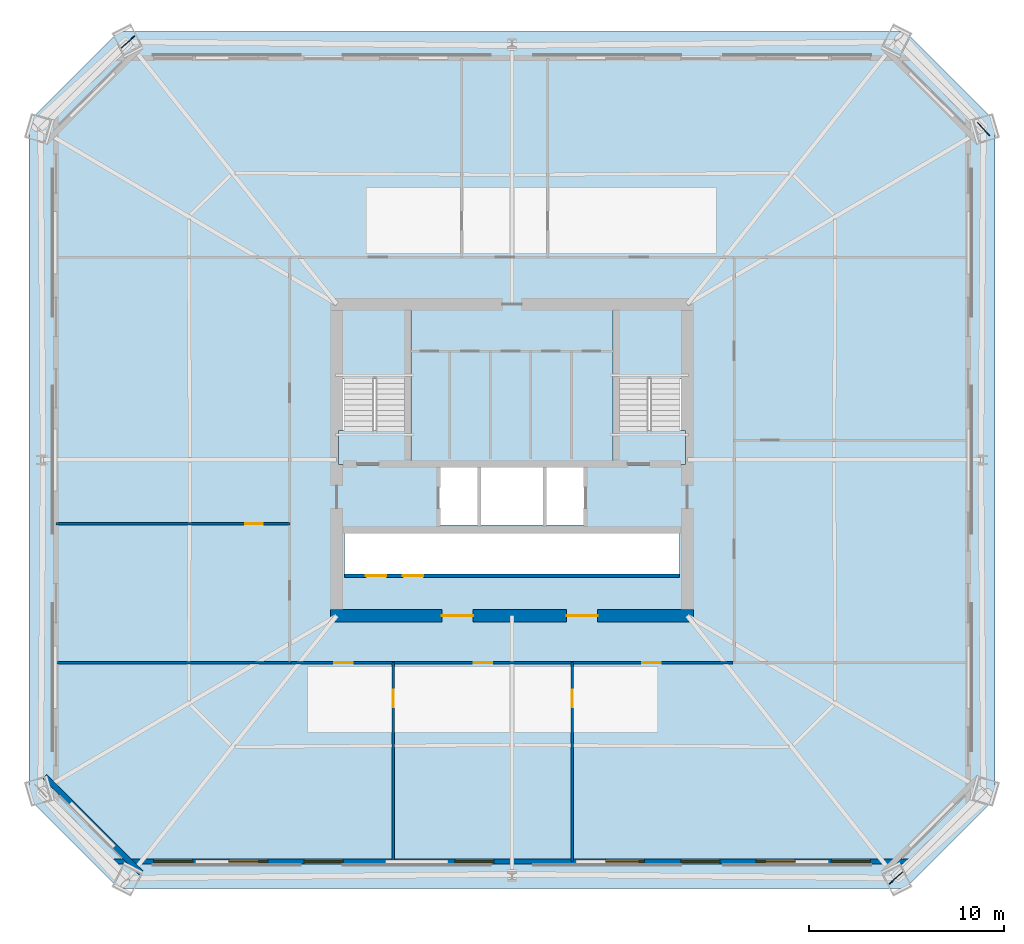
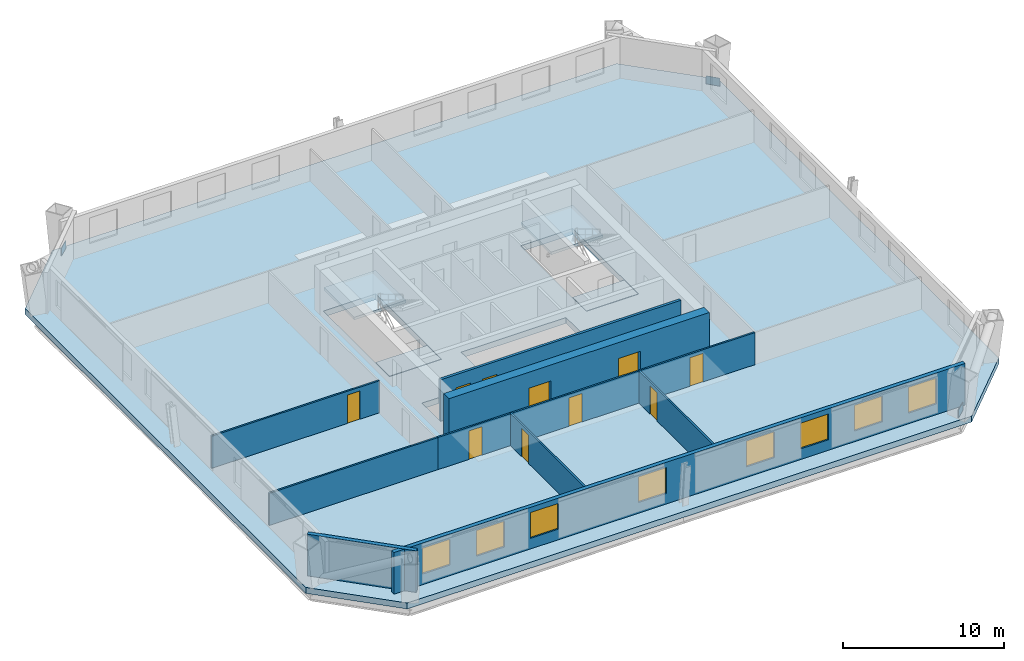
# One storey, part 2 of 7: 10 doors, 9 walls, 8 windows, 5 slabs, 3 plates, 18 openings, 2 elements without a shape of their own.
"""IFC4 building model written with IfcOpenShell, lengths in metres."""

import ifcopenshell
import ifcopenshell.guid

model = None  # the IFC model being written
_history = None  # IfcOwnerHistory: only IFC2X3 demands one
_inside = {}  # id of a spatial element -> (the spatial element, [elements in it])
_under = {}  # id of a project, library or spatial element -> (it, [spatial elements below it])
_declared = {}  # id of a project -> (the project, [libraries it declares])
_typed = {}  # id of a type object -> (the type object, [elements of that type])
_made_of = {}  # id of a material, layer set ... -> (it, [elements and type objects made of it])


def new_model(schema):
    """Start an empty IFC model of exactly this schema.

    Asked for "IFC4X3", IfcOpenShell would pick the latest addendum, in which some entities
    have other attributes; the version numbers below select the first issue.
    IFC2X3 requires an IfcOwnerHistory on every rooted entity: one is made here for all.
    """
    global model, _history
    if schema == "IFC4X3":
        model = ifcopenshell.file(schema_version=(4, 3, 0, 0))
    else:
        model = ifcopenshell.file(schema=schema)
    _inside.clear()
    _under.clear()
    _declared.clear()
    _typed.clear()
    _made_of.clear()
    _history = None
    if model.schema == "IFC2X3":
        org = make("IfcOrganization", Name="unknown")
        user = make(
            "IfcPersonAndOrganization",
            ThePerson=make("IfcPerson", FamilyName="unknown"),
            TheOrganization=org,
        )
        app = make(
            "IfcApplication",
            ApplicationDeveloper=org,
            Version="unknown",
            ApplicationFullName="unknown",
            ApplicationIdentifier="unknown",
        )
        _history = make(
            "IfcOwnerHistory",
            OwningUser=user,
            OwningApplication=app,
            ChangeAction="ADDED",
            CreationDate=0,
        )
    return model


def make(cls, **values):
    """One entity of the class cls with the attributes given. An attribute that is None is left unset."""
    return model.create_entity(
        cls, **{name: value for name, value in values.items() if value is not None}
    )


def rooted(cls, **values):
    """An entity with a GlobalId (a new one), such as an element, a storey or a relation."""
    return make(cls, GlobalId=ifcopenshell.guid.new(), OwnerHistory=_history, **values)


def si_unit(unit_type, name, prefix=None):
    """IfcSIUnit, for example si_unit("LENGTHUNIT", "METRE", prefix="MILLI")."""
    return make("IfcSIUnit", UnitType=unit_type, Prefix=prefix, Name=name)


def assignment(units):
    """IfcUnitAssignment: the units of a project."""
    return None if units is None else make("IfcUnitAssignment", Units=units)


def point(xyz):
    """IfcCartesianPoint."""
    return None if xyz is None else make("IfcCartesianPoint", Coordinates=xyz)


def direction(xyz):
    """IfcDirection."""
    return None if xyz is None else make("IfcDirection", DirectionRatios=xyz)


def frame(location, z_axis=None, x_axis=None):
    """IfcAxis2Placement3D, a coordinate frame: its origin and axes. An axis left out is left unset."""
    return make(
        "IfcAxis2Placement3D",
        Location=point(location),
        Axis=direction(z_axis),
        RefDirection=direction(x_axis),
    )


def frame_2d(location, x_axis=None):
    """IfcAxis2Placement2D, a coordinate frame in the plane: its origin and x axis."""
    return make(
        "IfcAxis2Placement2D", Location=point(location), RefDirection=direction(x_axis)
    )


def origin():
    """The frame at (0, 0, 0) with its axes left unset."""
    return frame((0.0, 0.0, 0.0))


def origin_2d():
    """The frame at (0, 0) in the plane with its x axis left unset."""
    return frame_2d((0.0, 0.0))


def place(relative_to, where):
    """IfcLocalPlacement: puts the frame where relative to a parent placement (None: the world)."""
    return make(
        "IfcLocalPlacement", PlacementRelTo=relative_to, RelativePlacement=where
    )


def context(
    kind, dimensions, precision=None, world=None, true_north=None, identifier=None
):
    """IfcGeometricRepresentationContext, for example the 3D "Model" context."""
    return make(
        "IfcGeometricRepresentationContext",
        ContextIdentifier=identifier,
        ContextType=kind,
        CoordinateSpaceDimension=dimensions,
        Precision=precision,
        WorldCoordinateSystem=world,
        TrueNorth=true_north,
    )


def subcontext(parent, identifier, kind, view, scale=None):
    """IfcGeometricRepresentationSubContext, for example "Body" below "Model"."""
    return make(
        "IfcGeometricRepresentationSubContext",
        ContextIdentifier=identifier,
        ContextType=kind,
        ParentContext=parent,
        TargetScale=scale,
        TargetView=view,
    )


def project(units=None, contexts=None):
    """IfcProject with its units and contexts."""
    return rooted(
        "IfcProject",
        Name="project",
        RepresentationContexts=contexts,
        UnitsInContext=assignment(units),
    )


def spatial(cls, under=None, at=None, **own):
    """A site, building, storey or space (cls), placed at a placement, below another one or the project."""
    s = rooted(cls, ObjectPlacement=at, **own)
    if under is not None:
        _under.setdefault(under.id(), (under, []))[1].append(s)
    return s


def polyline(points):
    """IfcPolyline through the points."""
    return make("IfcPolyline", Points=[point(p) for p in points])


def profile(cls, at=None, kind="AREA", **sizes):
    """A parametric profile (cls). Its sizes go by their IFC names, for example OverallWidth=200.0."""
    return make(cls, ProfileType=kind, Position=at, **sizes)


def rectangle(**sizes):
    """IfcRectangleProfileDef."""
    return profile("IfcRectangleProfileDef", **sizes)


def outline(outer, holes=None, kind="AREA"):
    """IfcArbitraryClosedProfileDef: a profile drawn as a closed curve; with holes, ...WithVoids."""
    if holes is None:
        return make("IfcArbitraryClosedProfileDef", ProfileType=kind, OuterCurve=outer)
    return make(
        "IfcArbitraryProfileDefWithVoids",
        ProfileType=kind,
        OuterCurve=outer,
        InnerCurves=holes,
    )


def extrude(swept, where, along, depth):
    """IfcExtrudedAreaSolid: the profile swept, set in the frame where, extruded along a direction by depth."""
    return make(
        "IfcExtrudedAreaSolid",
        SweptArea=swept,
        Position=where,
        ExtrudedDirection=direction(along),
        Depth=depth,
    )


def shape(context_of_items, identifier, shape_type, items):
    """IfcShapeRepresentation: the items that make up one representation, for example the "Body"."""
    return make(
        "IfcShapeRepresentation",
        ContextOfItems=context_of_items,
        RepresentationIdentifier=identifier,
        RepresentationType=shape_type,
        Items=items,
    )


def material(Name=None, Category=None):
    """IfcMaterial."""
    return make("IfcMaterial", Name=Name, Category=Category)


def layer(
    of_material, thickness, ventilated=None, Name=None, Category=None, Priority=None
):
    """IfcMaterialLayer: one layer of a wall or slab, of a material (None: an air gap)."""
    return make(
        "IfcMaterialLayer",
        Material=of_material,
        LayerThickness=thickness,
        IsVentilated=ventilated,
        Name=Name,
        Category=Category,
        Priority=Priority,
    )


def layer_set(layers, Name=None):
    """IfcMaterialLayerSet."""
    return make("IfcMaterialLayerSet", MaterialLayers=layers, LayerSetName=Name)


def made_of(thing, what):
    """Note that an element or type object is made of a material, layer set ...; save() writes the relation."""
    if what is not None:
        _made_of.setdefault(what.id(), (what, []))[1].append(thing)
    return thing


def type_object(cls, material=None, **own):
    """A type object (cls), such as IfcWallType, which elements share."""
    return made_of(rooted(cls, **own), material)


def element(
    cls,
    number,
    at=None,
    inside=None,
    cuts=None,
    type_object=None,
    material=None,
    context=None,
    identifier="Body",
    shape_type=None,
    held_by="IfcProductDefinitionShape",
    body=None,
    shapes=None,
    **own,
):
    """One element of the class cls, such as IfcWall. Its Tag is "e" and its number.

    at: its placement. inside: the storey or other place that contains it. cuts: it is an
    opening in that element (IfcRelVoidsElement). A single representation is given by context,
    identifier, shape_type and body (its items); several are given by shapes. held_by: the class
    of the entity that holds the representations. save() writes the other relations.
    """
    e = rooted(cls, Tag="e%d" % number, ObjectPlacement=at, **own)
    if body is not None:
        shapes = [shape(context, identifier, shape_type, body)]
    if shapes is not None:
        e.Representation = make(held_by, Representations=shapes)
    if inside is not None:
        _inside.setdefault(inside.id(), (inside, []))[1].append(e)
    if cuts is not None:
        rooted(
            "IfcRelVoidsElement", RelatingBuildingElement=cuts, RelatedOpeningElement=e
        )
    if type_object is not None:
        _typed.setdefault(type_object.id(), (type_object, []))[1].append(e)
    return made_of(e, material)


def fill(opening, filler):
    """IfcRelFillsElement: the door or window that sits in an opening."""
    return rooted(
        "IfcRelFillsElement",
        RelatingOpeningElement=opening,
        RelatedBuildingElement=filler,
    )


def aggregate(whole, parts):
    """IfcRelAggregates: a whole, such as a stair, and the parts it consists of."""
    return rooted("IfcRelAggregates", RelatingObject=whole, RelatedObjects=parts)


def save(model, path):
    """Write the relations noted so far, then the file.

    IfcRelAggregates (storeys below a building ...), IfcRelContainedInSpatialStructure (elements
    in a storey), IfcRelDefinesByType, IfcRelAssociatesMaterial and IfcRelDeclares: one each for
    every whole, place, type object, material and project.
    """
    for whole, parts in _under.values():
        aggregate(whole, parts)
    for where, things in _inside.values():
        rooted(
            "IfcRelContainedInSpatialStructure",
            RelatedElements=things,
            RelatingStructure=where,
        )
    for kind, things in _typed.values():
        rooted("IfcRelDefinesByType", RelatedObjects=things, RelatingType=kind)
    for what, things in _made_of.values():
        rooted("IfcRelAssociatesMaterial", RelatedObjects=things, RelatingMaterial=what)
    for by, libraries in _declared.values():
        rooted("IfcRelDeclares", RelatingContext=by, RelatedDefinitions=libraries)
    model.write(path)


model = new_model("IFC4")

# Units and contexts
model_context = context("Model", 3, precision=1e-05, world=origin(), true_north=direction((0.0, 1.0)))
body_context = subcontext(model_context, "Body", "Model", "MODEL_VIEW")
ifc_project = project(units=[si_unit("LENGTHUNIT", "METRE"), si_unit("AREAUNIT", "SQUARE_METRE"), si_unit("VOLUMEUNIT", "CUBIC_METRE"), si_unit("PLANEANGLEUNIT", "RADIAN"), si_unit("MASSUNIT", "GRAM", prefix="KILO")], contexts=[model_context])

# Site, building, storey
site_placement = place(None, origin())
site = spatial("IfcSite", under=ifc_project, at=site_placement, CompositionType="ELEMENT")
building_placement = place(site_placement, origin())
building = spatial("IfcBuilding", under=site, at=building_placement, Name="Caelvoria Tower", CompositionType="ELEMENT")
storey_placement = place(building_placement, frame((0.0, 0.0, 35.199951171875)))
storey = spatial("IfcBuildingStorey", under=building, at=storey_placement, Name="L08", CompositionType="ELEMENT", Elevation=35.199951171875)

# Plates
ifc_material_1 = material(Name="Structural Steel ASTM A572 Gr.50", Category="steel")
ifc_layer_1 = layer(ifc_material_1, 0.0400390625, Name="Structural Steel ASTM A572 Gr.50")
ifc_layer_set_1 = layer_set([ifc_layer_1], Name="Megaframe Node Gusset Plate 900x600x40 - Structural Steel ASTM A572 Gr.50")
plate_type = type_object("IfcPlateType", Name="Megaframe Node Gusset Plate 900x600x40", PredefinedType="USERDEFINED", material=ifc_layer_set_1)
for number, where, z_axis, x_axis, name in (
    (1, (65.712890625, 10.530517578125, 0.02001953125), (0.0, 0.0, 1.0), (0.741815513985, 0.670604013715, 0.0), "Chamfer Mega Brace Gusset L08 SE"),
    (2, (70.210693359375, 48.986572265625, 0.02001953125), (0.0, 0.0, 1.0), (-0.672579947069, 0.740024469055, 0.0), "Chamfer Mega Brace Gusset L08 NE"),
    (3, (26.287109375, 53.469482421875, 0.02001953125), (0.0, 0.0, 1.0), (-0.741815513985, -0.670604013715, 0.0), "Chamfer Mega Brace Gusset L08 NW"),
):
    element("IfcPlate", number, at=place(storey_placement, frame(where, z_axis=z_axis, x_axis=x_axis)), inside=storey, type_object=plate_type, Name=name, ObjectType="GUSSET_PLATE", PredefinedType="USERDEFINED", context=body_context, shape_type="SweptSolid", body=[
        extrude(rectangle(XDim=0.89990234375, YDim=0.0400390625, at=origin_2d()), origin(), (0.0, 0.0, 1.0), 0.60009765625),
    ])

# Slab
ifc_material_2 = material(Name="Concrete C50/60", Category="concrete")
ifc_layer_2 = layer(ifc_material_2, 0.449951171875, Name="Concrete C50/60")
ifc_layer_set_2 = layer_set([ifc_layer_2], Name="Podium Transfer Deck Slab 450 - Concrete C50/60")
slab_type_1 = type_object("IfcSlabType", Name="Podium Transfer Deck Slab 450", PredefinedType="FLOOR", material=ifc_layer_set_2)
slab_1_placement = place(storey_placement, frame((0.0, 0.0, -0.449951171875)))
element("IfcSlab", 4, at=slab_1_placement, inside=storey, type_object=slab_type_1, Name="Level L08 Structural Floor Slab", PredefinedType="FLOOR", context=body_context, shape_type="SweptSolid", body=[
    extrude(outline(polyline([(25.800048828125, 10.0), (66.199951171875, 10.0), (70.800048828125, 14.60009765625), (70.800048828125, 49.39990234375), (66.199951171875, 54.0), (25.800048828125, 54.0), (21.199951171875, 49.39990234375), (21.199951171875, 14.60009765625), (25.800048828125, 10.0)]), holes=[polyline([(37.080078125, 31.75), (40.820068359375, 31.75), (40.820068359375, 39.919921875), (37.080078125, 39.919921875), (37.080078125, 31.75)]), polyline([(51.179931640625, 31.75), (54.919921875, 31.75), (54.919921875, 39.919921875), (51.179931640625, 39.919921875), (51.179931640625, 31.75)]), polyline([(42.25, 28.64990234375), (49.75, 28.64990234375), (49.75, 31.800048828125), (42.25, 31.800048828125), (42.25, 28.64990234375)]), polyline([(37.39990234375, 26.14990234375), (54.60009765625, 26.14990234375), (54.60009765625, 28.25), (37.39990234375, 28.25), (37.39990234375, 26.14990234375)])]), origin(), (0.0, 0.0, 1.0), 0.449951171875),
])

# Stair, slabs
ifc_material_3 = material(Name="Concrete C40/50", Category="concrete")
stair_type = type_object("IfcStairType", Name="Core Smokeproof Dogleg Stair Concrete C40/50", PredefinedType="HALF_TURN_STAIR", material=ifc_material_3)
stair_1_placement = place(storey_placement, origin())
stair_1 = element("IfcStair", 5, at=stair_1_placement, inside=storey, type_object=stair_type, Name="ST-01 Smokeproof Exit Stair L08", PredefinedType="HALF_TURN_STAIR")
ifc_layer_3 = layer(ifc_material_3, 0.199951171875, Name="Concrete C40/50")
ifc_layer_set_3 = layer_set([ifc_layer_3], Name="Stair Half and Floor Landing Slab 200 Concrete C40/50 - Concrete C40/50")
slab_type_2 = type_object("IfcSlabType", Name="Stair Half and Floor Landing Slab 200 Concrete C40/50", PredefinedType="LANDING", material=ifc_layer_set_3)
slab_2_placement = place(storey_placement, frame((0.0, 0.0, -0.199951171875)))
slab_2 = element("IfcSlab", 6, at=slab_2_placement, type_object=slab_type_2, Name="ST-01 landing 1", PredefinedType="LANDING", context=body_context, shape_type="SweptSolid", body=[
    extrude(outline(polyline([(37.10009765625, 31.77001953125), (40.800048828125, 31.77001953125), (40.800048828125, 33.5), (37.10009765625, 33.5), (37.10009765625, 31.77001953125)])), origin(), (0.0, 0.0, 1.0), 0.199951171875),
])
slab_3_placement = place(storey_placement, frame((0.0, 0.0, 1.60009765625)))
slab_3 = element("IfcSlab", 7, at=slab_3_placement, type_object=slab_type_2, Name="ST-01 landing 2", PredefinedType="LANDING", context=body_context, shape_type="SweptSolid", body=[
    extrude(outline(polyline([(37.10009765625, 36.14990234375), (40.800048828125, 36.14990234375), (40.800048828125, 39.89990234375), (37.10009765625, 39.89990234375), (37.10009765625, 36.14990234375)])), origin(), (0.0, 0.0, 1.0), 0.199951171875),
])
aggregate(stair_1, [slab_2, slab_3])

stair_2_placement = place(storey_placement, origin())
stair_2 = element("IfcStair", 8, at=stair_2_placement, inside=storey, type_object=stair_type, Name="ST-02 Smokeproof Exit Stair L08", PredefinedType="HALF_TURN_STAIR")
slab_4_placement = place(storey_placement, frame((0.0, 0.0, -0.199951171875)))
slab_4 = element("IfcSlab", 9, at=slab_4_placement, type_object=slab_type_2, Name="ST-02 landing 1", PredefinedType="LANDING", context=body_context, shape_type="SweptSolid", body=[
    extrude(outline(polyline([(51.199951171875, 31.77001953125), (54.89990234375, 31.77001953125), (54.89990234375, 33.5), (51.199951171875, 33.5), (51.199951171875, 31.77001953125)])), origin(), (0.0, 0.0, 1.0), 0.199951171875),
])
slab_5_placement = place(storey_placement, frame((0.0, 0.0, 1.60009765625)))
slab_5 = element("IfcSlab", 10, at=slab_5_placement, type_object=slab_type_2, Name="ST-02 landing 2", PredefinedType="LANDING", context=body_context, shape_type="SweptSolid", body=[
    extrude(outline(polyline([(51.199951171875, 36.14990234375), (54.89990234375, 36.14990234375), (54.89990234375, 39.89990234375), (51.199951171875, 39.89990234375), (51.199951171875, 36.14990234375)])), origin(), (0.0, 0.0, 1.0), 0.199951171875),
])
aggregate(stair_2, [slab_4, slab_5])

# Wall, openings, windows
ifc_material_4 = material(Name="Precast Concrete C40/50 with Bronze Cladding", Category="concrete")
ifc_layer_4 = layer(ifc_material_4, 0.280029296875, Name="Precast Concrete C40/50 with Bronze Cladding")
ifc_layer_set_4 = layer_set([ifc_layer_4], Name="Exterior Precast Concrete C40/50 Bronze-Clad Facade Wall 280 - Precast Concrete C40/50 with Bronze Cladding")
wall_type_1 = type_object("IfcWallType", Name="Exterior Precast Concrete C40/50 Bronze-Clad Facade Wall 280", PredefinedType="STANDARD", material=ifc_layer_set_4)
wall_1_placement = place(storey_placement, frame((25.56005859375, 11.3798828125, 0.0), z_axis=(0.0, 0.0, 1.0), x_axis=(1.0, 0.0, 0.0)))
wall_1 = element("IfcWall", 11, at=wall_1_placement, inside=storey, type_object=wall_type_1, Name="Exterior Facade Wall L08-E0", PredefinedType="STANDARD", context=body_context, shape_type="SweptSolid", body=[
    extrude(rectangle(XDim=40.8798828125, YDim=0.280029296875, at=frame_2d((20.43994140625, 0.0))), origin(), (0.0, 0.0, 1.0), 3.150146484375),
])
opening_1_placement = place(wall_1_placement, frame((2.033935546875, 0.0, 0.800048828125)))
opening_1 = element("IfcOpeningElement", 12, at=opening_1_placement, cuts=wall_1, Name="Opening WN-01", PredefinedType="OPENING", context=body_context, shape_type="SweptSolid", body=[
    extrude(rectangle(XDim=2.0, YDim=1.949951171875, at=frame_2d((1.0, 0.97509765625))), frame((0.0, 0.14990234375, 0.0), z_axis=(0.0, -1.0, 0.0), x_axis=(1.0, 0.0, 0.0)), (0.0, 0.0, 1.0), 0.300048828125),
])
opening_2_placement = place(wall_1_placement, frame((5.902099609375, 0.0, 0.800048828125)))
opening_2 = element("IfcOpeningElement", 13, at=opening_2_placement, cuts=wall_1, Name="Opening WN-01", PredefinedType="OPENING", context=body_context, shape_type="SweptSolid", body=[
    extrude(rectangle(XDim=2.0, YDim=1.949951171875, at=frame_2d((1.0, 0.97509765625))), frame((0.0, 0.14990234375, 0.0), z_axis=(0.0, -1.0, 0.0), x_axis=(1.0, 0.0, 0.0)), (0.0, 0.0, 1.0), 0.300048828125),
])
opening_3_placement = place(wall_1_placement, frame((9.77001953125, 0.0, 0.800048828125)))
opening_3 = element("IfcOpeningElement", 14, at=opening_3_placement, cuts=wall_1, Name="Opening WN-01", PredefinedType="OPENING", context=body_context, shape_type="SweptSolid", body=[
    extrude(rectangle(XDim=2.0, YDim=1.949951171875, at=frame_2d((1.0, 0.97509765625))), frame((0.0, 0.14990234375, 0.0), z_axis=(0.0, -1.0, 0.0), x_axis=(1.0, 0.0, 0.0)), (0.0, 0.0, 1.0), 0.300048828125),
])
opening_4_placement = place(wall_1_placement, frame((17.506103515625, 0.0, 0.800048828125)))
opening_4 = element("IfcOpeningElement", 15, at=opening_4_placement, cuts=wall_1, Name="Opening WN-01", PredefinedType="OPENING", context=body_context, shape_type="SweptSolid", body=[
    extrude(rectangle(XDim=2.0, YDim=1.949951171875, at=frame_2d((1.0, 0.97509765625))), frame((0.0, 0.14990234375, 0.0), z_axis=(0.0, -1.0, 0.0), x_axis=(1.0, 0.0, 0.0)), (0.0, 0.0, 1.0), 0.300048828125),
])
opening_5_placement = place(wall_1_placement, frame((25.241943359375, 0.0, 0.800048828125)))
opening_5 = element("IfcOpeningElement", 16, at=opening_5_placement, cuts=wall_1, Name="Opening WN-01", PredefinedType="OPENING", context=body_context, shape_type="SweptSolid", body=[
    extrude(rectangle(XDim=2.0, YDim=1.949951171875, at=frame_2d((1.0, 0.97509765625))), frame((0.0, 0.14990234375, 0.0), z_axis=(0.0, -1.0, 0.0), x_axis=(1.0, 0.0, 0.0)), (0.0, 0.0, 1.0), 0.300048828125),
])
opening_6_placement = place(wall_1_placement, frame((29.110107421875, 0.0, 0.800048828125)))
opening_6 = element("IfcOpeningElement", 17, at=opening_6_placement, cuts=wall_1, Name="Opening WN-01", PredefinedType="OPENING", context=body_context, shape_type="SweptSolid", body=[
    extrude(rectangle(XDim=2.0, YDim=1.949951171875, at=frame_2d((1.0, 0.97509765625))), frame((0.0, 0.14990234375, 0.0), z_axis=(0.0, -1.0, 0.0), x_axis=(1.0, 0.0, 0.0)), (0.0, 0.0, 1.0), 0.300048828125),
])
opening_7_placement = place(wall_1_placement, frame((32.97802734375, 0.0, 0.800048828125)))
opening_7 = element("IfcOpeningElement", 18, at=opening_7_placement, cuts=wall_1, Name="Opening WN-01", PredefinedType="OPENING", context=body_context, shape_type="SweptSolid", body=[
    extrude(rectangle(XDim=2.0, YDim=1.949951171875, at=frame_2d((1.0, 0.97509765625))), frame((0.0, 0.14990234375, 0.0), z_axis=(0.0, -1.0, 0.0), x_axis=(1.0, 0.0, 0.0)), (0.0, 0.0, 1.0), 0.300048828125),
])
opening_8_placement = place(wall_1_placement, frame((36.845947265625, 0.0, 0.800048828125)))
opening_8 = element("IfcOpeningElement", 19, at=opening_8_placement, cuts=wall_1, Name="Opening WN-01", PredefinedType="OPENING", context=body_context, shape_type="SweptSolid", body=[
    extrude(rectangle(XDim=2.0, YDim=1.949951171875, at=frame_2d((1.0, 0.97509765625))), frame((0.0, 0.14990234375, 0.0), z_axis=(0.0, -1.0, 0.0), x_axis=(1.0, 0.0, 0.0)), (0.0, 0.0, 1.0), 0.300048828125),
])
ifc_material_5 = material(Name="Low-E Tinted Glass in Bronze Aluminium Frame", Category="aluminium")
window_type = type_object("IfcWindowType", Name="Tower Office Vision Window 2000x1950", PartitioningType="SINGLE_PANEL", PredefinedType="WINDOW", material=ifc_material_5)
window_1_placement = place(opening_1_placement, origin())
window_1 = element("IfcWindow", 20, at=window_1_placement, inside=storey, type_object=window_type, Name="Facade Window L08-E0-00", OverallHeight=1.949951171875, OverallWidth=2.0, PartitioningType="SINGLE_PANEL", PredefinedType="WINDOW", context=body_context, shape_type="SweptSolid", body=[
    extrude(rectangle(XDim=2.0, YDim=1.949951171875, at=frame_2d((1.0, 0.97509765625))), frame((0.0, 0.030029296875, 0.0), z_axis=(0.0, -1.0, 0.0), x_axis=(1.0, 0.0, 0.0)), (0.0, 0.0, 1.0), 0.06005859375),
])
fill(opening_1, window_1)
window_2_placement = place(opening_2_placement, origin())
window_2 = element("IfcWindow", 21, at=window_2_placement, inside=storey, type_object=window_type, Name="Facade Window L08-E0-01", OverallHeight=1.949951171875, OverallWidth=2.0, PartitioningType="SINGLE_PANEL", PredefinedType="WINDOW", context=body_context, shape_type="SweptSolid", body=[
    extrude(rectangle(XDim=2.0, YDim=1.949951171875, at=frame_2d((1.0, 0.97509765625))), frame((0.0, 0.030029296875, 0.0), z_axis=(0.0, -1.0, 0.0), x_axis=(1.0, 0.0, 0.0)), (0.0, 0.0, 1.0), 0.06005859375),
])
fill(opening_2, window_2)
window_3_placement = place(opening_3_placement, origin())
window_3 = element("IfcWindow", 22, at=window_3_placement, inside=storey, type_object=window_type, Name="Facade Window L08-E0-02", OverallHeight=1.949951171875, OverallWidth=2.0, PartitioningType="SINGLE_PANEL", PredefinedType="WINDOW", context=body_context, shape_type="SweptSolid", body=[
    extrude(rectangle(XDim=2.0, YDim=1.949951171875, at=frame_2d((1.0, 0.97509765625))), frame((0.0, 0.030029296875, 0.0), z_axis=(0.0, -1.0, 0.0), x_axis=(1.0, 0.0, 0.0)), (0.0, 0.0, 1.0), 0.06005859375),
])
fill(opening_3, window_3)
window_4_placement = place(opening_4_placement, origin())
window_4 = element("IfcWindow", 23, at=window_4_placement, inside=storey, type_object=window_type, Name="Facade Window L08-E0-04", OverallHeight=1.949951171875, OverallWidth=2.0, PartitioningType="SINGLE_PANEL", PredefinedType="WINDOW", context=body_context, shape_type="SweptSolid", body=[
    extrude(rectangle(XDim=2.0, YDim=1.949951171875, at=frame_2d((1.0, 0.97509765625))), frame((0.0, 0.030029296875, 0.0), z_axis=(0.0, -1.0, 0.0), x_axis=(1.0, 0.0, 0.0)), (0.0, 0.0, 1.0), 0.06005859375),
])
fill(opening_4, window_4)
window_5_placement = place(opening_5_placement, origin())
window_5 = element("IfcWindow", 24, at=window_5_placement, inside=storey, type_object=window_type, Name="Facade Window L08-E0-06", OverallHeight=1.949951171875, OverallWidth=2.0, PartitioningType="SINGLE_PANEL", PredefinedType="WINDOW", context=body_context, shape_type="SweptSolid", body=[
    extrude(rectangle(XDim=2.0, YDim=1.949951171875, at=frame_2d((1.0, 0.97509765625))), frame((0.0, 0.030029296875, 0.0), z_axis=(0.0, -1.0, 0.0), x_axis=(1.0, 0.0, 0.0)), (0.0, 0.0, 1.0), 0.06005859375),
])
fill(opening_5, window_5)
window_6_placement = place(opening_6_placement, origin())
window_6 = element("IfcWindow", 25, at=window_6_placement, inside=storey, type_object=window_type, Name="Facade Window L08-E0-07", OverallHeight=1.949951171875, OverallWidth=2.0, PartitioningType="SINGLE_PANEL", PredefinedType="WINDOW", context=body_context, shape_type="SweptSolid", body=[
    extrude(rectangle(XDim=2.0, YDim=1.949951171875, at=frame_2d((1.0, 0.97509765625))), frame((0.0, 0.030029296875, 0.0), z_axis=(0.0, -1.0, 0.0), x_axis=(1.0, 0.0, 0.0)), (0.0, 0.0, 1.0), 0.06005859375),
])
fill(opening_6, window_6)
window_7_placement = place(opening_7_placement, origin())
window_7 = element("IfcWindow", 26, at=window_7_placement, inside=storey, type_object=window_type, Name="Facade Window L08-E0-08", OverallHeight=1.949951171875, OverallWidth=2.0, PartitioningType="SINGLE_PANEL", PredefinedType="WINDOW", context=body_context, shape_type="SweptSolid", body=[
    extrude(rectangle(XDim=2.0, YDim=1.949951171875, at=frame_2d((1.0, 0.97509765625))), frame((0.0, 0.030029296875, 0.0), z_axis=(0.0, -1.0, 0.0), x_axis=(1.0, 0.0, 0.0)), (0.0, 0.0, 1.0), 0.06005859375),
])
fill(opening_7, window_7)
window_8_placement = place(opening_8_placement, origin())
window_8 = element("IfcWindow", 27, at=window_8_placement, inside=storey, type_object=window_type, Name="Facade Window L08-E0-09", OverallHeight=1.949951171875, OverallWidth=2.0, PartitioningType="SINGLE_PANEL", PredefinedType="WINDOW", context=body_context, shape_type="SweptSolid", body=[
    extrude(rectangle(XDim=2.0, YDim=1.949951171875, at=frame_2d((1.0, 0.97509765625))), frame((0.0, 0.030029296875, 0.0), z_axis=(0.0, -1.0, 0.0), x_axis=(1.0, 0.0, 0.0)), (0.0, 0.0, 1.0), 0.06005859375),
])
fill(opening_8, window_8)

# Wall
wall_2_placement = place(storey_placement, frame((22.006103515625, 15.74560546875, 0.0), z_axis=(0.0, 0.0, 1.0), x_axis=(0.707106781187, -0.707106781187, 0.0)))
element("IfcWall", 28, at=wall_2_placement, inside=storey, type_object=wall_type_1, Name="Exterior Facade Wall L08-E7", PredefinedType="STANDARD", context=body_context, shape_type="SweptSolid", body=[
    extrude(rectangle(XDim=6.9853515625, YDim=0.280029296875, at=frame_2d((3.49267578125, 0.0))), origin(), (0.0, 0.0, 1.0), 3.150146484375),
])

# Wall, openings, doors
ifc_material_6 = material(Name="Concrete Block and Fireboard Assembly", Category="concrete")
ifc_layer_5 = layer(ifc_material_6, 0.179931640625, Name="Concrete Block and Fireboard Assembly")
ifc_layer_set_5 = layer_set([ifc_layer_5], Name="Fire-Rated Hoistway Partition Wall 180 - Concrete Block and Fireboard Assembly")
wall_type_2 = type_object("IfcWallType", Name="Fire-Rated Hoistway Partition Wall 180", PredefinedType="PARTITIONING", material=ifc_layer_set_5)
wall_3_placement = place(storey_placement, frame((37.39990234375, 26.050048828125, 0.0), z_axis=(0.0, 0.0, 1.0), x_axis=(1.0, 0.0, 0.0)))
wall_3 = element("IfcWall", 29, at=wall_3_placement, inside=storey, type_object=wall_type_2, Name="Interior Partition IW-L08-LFRONT", PredefinedType="PARTITIONING", context=body_context, shape_type="SweptSolid", body=[
    extrude(rectangle(XDim=17.2001953125, YDim=0.179931640625, at=frame_2d((8.60009765625, 0.0))), origin(), (0.0, 0.0, 1.0), 3.150146484375),
])
opening_9_placement = place(wall_3_placement, frame((1.10009765625, 0.0, 0.0)))
opening_9 = element("IfcOpeningElement", 30, at=opening_9_placement, cuts=wall_3, Name="Opening LD-01", PredefinedType="OPENING", context=body_context, shape_type="SweptSolid", body=[
    extrude(rectangle(XDim=1.050048828125, YDim=2.14990234375, at=frame_2d((0.52490234375, 1.074951171875))), frame((0.0, 0.099853515625, 0.0), z_axis=(0.0, -1.0, 0.0), x_axis=(1.0, 0.0, 0.0)), (0.0, 0.0, 1.0), 0.199951171875),
])
opening_10_placement = place(wall_3_placement, frame((3.0, 0.0, 0.0)))
opening_10 = element("IfcOpeningElement", 31, at=opening_10_placement, cuts=wall_3, Name="Opening LD-01", PredefinedType="OPENING", context=body_context, shape_type="SweptSolid", body=[
    extrude(rectangle(XDim=1.050048828125, YDim=2.14990234375, at=frame_2d((0.52490234375, 1.074951171875))), frame((0.0, 0.099853515625, 0.0), z_axis=(0.0, -1.0, 0.0), x_axis=(1.0, 0.0, 0.0)), (0.0, 0.0, 1.0), 0.199951171875),
])
ifc_material_7 = material(Name="Brushed Bronze Stainless Sliding Landing Door", Category="aluminium")
door_type_1 = type_object("IfcDoorType", Name="Lift Landing Sliding Door 1100x2150", OperationType="NOTDEFINED", PredefinedType="DOOR", material=ifc_material_7)
door_1_placement = place(opening_9_placement, origin())
door_1 = element("IfcDoor", 32, at=door_1_placement, inside=storey, type_object=door_type_1, Name="Interior Door LD-L08-PL1", OperationType="SLIDING_TO_LEFT", OverallHeight=2.14990234375, OverallWidth=1.050048828125, PredefinedType="DOOR", context=body_context, shape_type="SweptSolid", body=[
    extrude(rectangle(XDim=1.050048828125, YDim=2.14990234375, at=frame_2d((0.52490234375, 1.074951171875))), frame((0.0, 0.02490234375, 0.0), z_axis=(0.0, -1.0, 0.0), x_axis=(1.0, 0.0, 0.0)), (0.0, 0.0, 1.0), 0.050048828125),
])
fill(opening_9, door_1)
door_2_placement = place(opening_10_placement, origin())
door_2 = element("IfcDoor", 33, at=door_2_placement, inside=storey, type_object=door_type_1, Name="Interior Door LD-L08-PL2", OperationType="SLIDING_TO_RIGHT", OverallHeight=2.14990234375, OverallWidth=1.050048828125, PredefinedType="DOOR", context=body_context, shape_type="SweptSolid", body=[
    extrude(rectangle(XDim=1.050048828125, YDim=2.14990234375, at=frame_2d((0.52490234375, 1.074951171875))), frame((0.0, 0.02490234375, 0.0), z_axis=(0.0, -1.0, 0.0), x_axis=(1.0, 0.0, 0.0)), (0.0, 0.0, 1.0), 0.050048828125),
])
fill(opening_10, door_2)

ifc_material_8 = material(Name="Concrete C60/75", Category="concrete")
ifc_layer_6 = layer(ifc_material_8, 0.64990234375, Name="Concrete C60/75")
ifc_layer_set_6 = layer_set([ifc_layer_6], Name="Lower Core Shear Wall 650 - Concrete C60/75")
wall_type_3 = type_object("IfcWallType", Name="Lower Core Shear Wall 650", PredefinedType="SHEAR", material=ifc_layer_set_6)
wall_4_placement = place(storey_placement, frame((36.675048828125, 24.0, 0.0), z_axis=(0.0, 0.0, 1.0), x_axis=(1.0, 0.0, 0.0)))
wall_4 = element("IfcWall", 34, at=wall_4_placement, inside=storey, type_object=wall_type_3, Name="Core Shear Wall L08 S", PredefinedType="SHEAR", context=body_context, shape_type="SweptSolid", body=[
    extrude(rectangle(XDim=18.64990234375, YDim=0.64990234375, at=frame_2d((9.324951171875, 0.0))), origin(), (0.0, 0.0, 1.0), 3.360107421875),
])
opening_11_placement = place(wall_4_placement, frame((5.72509765625, 0.0, 0.0)))
opening_11 = element("IfcOpeningElement", 35, at=opening_11_placement, cuts=wall_4, Name="Opening ID-08", PredefinedType="OPENING", context=body_context, shape_type="SweptSolid", body=[
    extrude(rectangle(XDim=1.60009765625, YDim=2.14990234375, at=frame_2d((0.800048828125, 1.074951171875))), frame((0.0, 0.3349609375, 0.0), z_axis=(0.0, -1.0, 0.0), x_axis=(1.0, 0.0, 0.0)), (0.0, 0.0, 1.0), 0.669921875),
])
opening_12_placement = place(wall_4_placement, frame((12.125, 0.0, 0.0)))
opening_12 = element("IfcOpeningElement", 36, at=opening_12_placement, cuts=wall_4, Name="Opening ID-08", PredefinedType="OPENING", context=body_context, shape_type="SweptSolid", body=[
    extrude(rectangle(XDim=1.60009765625, YDim=2.14990234375, at=frame_2d((0.800048828125, 1.074951171875))), frame((0.0, 0.3349609375, 0.0), z_axis=(0.0, -1.0, 0.0), x_axis=(1.0, 0.0, 0.0)), (0.0, 0.0, 1.0), 0.669921875),
])
ifc_material_9 = material(Name="Bronze-Framed Fire-Rated Glazed Double Door", Category="aluminium")
door_type_2 = type_object("IfcDoorType", Name="Double Lobby Glazed Door 1600x2200", OperationType="NOTDEFINED", PredefinedType="DOOR", material=ifc_material_9)
door_3_placement = place(opening_11_placement, origin())
door_3 = element("IfcDoor", 37, at=door_3_placement, inside=storey, type_object=door_type_2, Name="Core Door DR-L08-LLOB-S1", OperationType="DOUBLE_DOOR_SINGLE_SWING", OverallHeight=2.14990234375, OverallWidth=1.60009765625, PredefinedType="DOOR", context=body_context, shape_type="SweptSolid", body=[
    extrude(rectangle(XDim=1.60009765625, YDim=2.14990234375, at=frame_2d((0.800048828125, 1.074951171875))), frame((0.0, 0.02490234375, 0.0), z_axis=(0.0, -1.0, 0.0), x_axis=(1.0, 0.0, 0.0)), (0.0, 0.0, 1.0), 0.050048828125),
])
fill(opening_11, door_3)
door_4_placement = place(opening_12_placement, origin())
door_4 = element("IfcDoor", 38, at=door_4_placement, inside=storey, type_object=door_type_2, Name="Core Door DR-L08-LLOB-S2", OperationType="DOUBLE_DOOR_SINGLE_SWING", OverallHeight=2.14990234375, OverallWidth=1.60009765625, PredefinedType="DOOR", context=body_context, shape_type="SweptSolid", body=[
    extrude(rectangle(XDim=1.60009765625, YDim=2.14990234375, at=frame_2d((0.800048828125, 1.074951171875))), frame((0.0, 0.02490234375, 0.0), z_axis=(0.0, -1.0, 0.0), x_axis=(1.0, 0.0, 0.0)), (0.0, 0.0, 1.0), 0.050048828125),
])
fill(opening_12, door_4)

# Wall, opening, door
ifc_material_10 = material(Name="Acoustic Gypsum Board on Light-Gauge Stud", Category="gypsum")
ifc_layer_7 = layer(ifc_material_10, 0.1201171875, Name="Acoustic Gypsum Board on Light-Gauge Stud")
ifc_layer_set_7 = layer_set([ifc_layer_7], Name="Tenant Suite Acoustic Partition Wall 120 - Acoustic Gypsum Board on Light-Gauge Stud")
wall_type_4 = type_object("IfcWallType", Name="Tenant Suite Acoustic Partition Wall 120", PredefinedType="PARTITIONING", material=ifc_layer_set_7)
wall_5_placement = place(storey_placement, frame((39.90869140625, 21.590087890625, 0.0), z_axis=(0.0, 0.0, 1.0), x_axis=(0.0, -1.0, 0.0)))
wall_5 = element("IfcWall", 39, at=wall_5_placement, inside=storey, type_object=wall_type_4, Name="Interior Partition IW-L08-SD-00-0", PredefinedType="PARTITIONING", context=body_context, shape_type="SweptSolid", body=[
    extrude(rectangle(XDim=10.210205078125, YDim=0.1201171875, at=frame_2d((5.10498046875, 0.0))), origin(), (0.0, 0.0, 1.0), 2.429931640625),
])
opening_13_placement = place(wall_5_placement, frame((1.39990234375, 0.0, 0.0)))
opening_13 = element("IfcOpeningElement", 40, at=opening_13_placement, cuts=wall_5, Name="Opening ID-06", PredefinedType="OPENING", context=body_context, shape_type="SweptSolid", body=[
    extrude(rectangle(XDim=0.89990234375, YDim=2.14990234375, at=frame_2d((0.449951171875, 1.074951171875))), frame((0.0, 0.070068359375, 0.0), z_axis=(0.0, -1.0, 0.0), x_axis=(1.0, 0.0, 0.0)), (0.0, 0.0, 1.0), 0.14013671875),
])
ifc_material_11 = material(Name="Engineered Andean Oak Veneer Door", Category="wood")
door_type_3 = type_object("IfcDoorType", Name="Interior Timber Door 900x2150", OperationType="NOTDEFINED", PredefinedType="DOOR", material=ifc_material_11)
door_5_placement = place(opening_13_placement, origin())
door_5 = element("IfcDoor", 41, at=door_5_placement, inside=storey, type_object=door_type_3, Name="Interior Door DR-L08-SM-00-0", OperationType="SINGLE_SWING_RIGHT", OverallHeight=2.14990234375, OverallWidth=0.89990234375, PredefinedType="DOOR", context=body_context, shape_type="SweptSolid", body=[
    extrude(rectangle(XDim=0.89990234375, YDim=2.14990234375, at=frame_2d((0.449951171875, 1.074951171875))), frame((0.0, 0.02490234375, 0.0), z_axis=(0.0, -1.0, 0.0), x_axis=(1.0, 0.0, 0.0)), (0.0, 0.0, 1.0), 0.050048828125),
])
fill(opening_13, door_5)

wall_6_placement = place(storey_placement, frame((49.102294921875, 21.590087890625, 0.0), z_axis=(0.0, 0.0, 1.0), x_axis=(0.0, -1.0, 0.0)))
wall_6 = element("IfcWall", 42, at=wall_6_placement, inside=storey, type_object=wall_type_4, Name="Interior Partition IW-L08-SD-01-0", PredefinedType="PARTITIONING", context=body_context, shape_type="SweptSolid", body=[
    extrude(rectangle(XDim=10.210205078125, YDim=0.1201171875, at=frame_2d((5.10498046875, 0.0))), origin(), (0.0, 0.0, 1.0), 2.429931640625),
])
opening_14_placement = place(wall_6_placement, frame((1.39990234375, 0.0, 0.0)))
opening_14 = element("IfcOpeningElement", 43, at=opening_14_placement, cuts=wall_6, Name="Opening ID-06", PredefinedType="OPENING", context=body_context, shape_type="SweptSolid", body=[
    extrude(rectangle(XDim=0.89990234375, YDim=2.14990234375, at=frame_2d((0.449951171875, 1.074951171875))), frame((0.0, 0.070068359375, 0.0), z_axis=(0.0, -1.0, 0.0), x_axis=(1.0, 0.0, 0.0)), (0.0, 0.0, 1.0), 0.14013671875),
])
door_6_placement = place(opening_14_placement, origin())
door_6 = element("IfcDoor", 44, at=door_6_placement, inside=storey, type_object=door_type_3, Name="Interior Door DR-L08-SM-01-0", OperationType="SINGLE_SWING_LEFT", OverallHeight=2.14990234375, OverallWidth=0.89990234375, PredefinedType="DOOR", context=body_context, shape_type="SweptSolid", body=[
    extrude(rectangle(XDim=0.89990234375, YDim=2.14990234375, at=frame_2d((0.449951171875, 1.074951171875))), frame((0.0, 0.02490234375, 0.0), z_axis=(0.0, -1.0, 0.0), x_axis=(1.0, 0.0, 0.0)), (0.0, 0.0, 1.0), 0.050048828125),
])
fill(opening_14, door_6)

# Wall, openings, doors
wall_7_placement = place(storey_placement, frame((34.64990234375, 21.590087890625, 0.0), z_axis=(0.0, 0.0, 1.0), x_axis=(1.0, 0.0, 0.0)))
wall_7 = element("IfcWall", 45, at=wall_7_placement, inside=storey, type_object=wall_type_4, Name="Interior Partition IW-L08-SCW-0", PredefinedType="PARTITIONING", context=body_context, shape_type="SweptSolid", body=[
    extrude(rectangle(XDim=22.7001953125, YDim=0.1201171875, at=frame_2d((11.35009765625, 0.0))), origin(), (0.0, 0.0, 1.0), 2.429931640625),
])
opening_15_placement = place(wall_7_placement, frame((2.224365234375, 0.0, 0.0)))
opening_15 = element("IfcOpeningElement", 46, at=opening_15_placement, cuts=wall_7, Name="Opening ID-05", PredefinedType="OPENING", context=body_context, shape_type="SweptSolid", body=[
    extrude(rectangle(XDim=0.949951171875, YDim=2.14990234375, at=frame_2d((0.47509765625, 1.074951171875))), frame((0.0, 0.070068359375, 0.0), z_axis=(0.0, -1.0, 0.0), x_axis=(1.0, 0.0, 0.0)), (0.0, 0.0, 1.0), 0.14013671875),
])
opening_16_placement = place(wall_7_placement, frame((9.380615234375, 0.0, 0.0)))
opening_16 = element("IfcOpeningElement", 47, at=opening_16_placement, cuts=wall_7, Name="Opening ID-05", PredefinedType="OPENING", context=body_context, shape_type="SweptSolid", body=[
    extrude(rectangle(XDim=0.949951171875, YDim=2.14990234375, at=frame_2d((0.47509765625, 1.074951171875))), frame((0.0, 0.070068359375, 0.0), z_axis=(0.0, -1.0, 0.0), x_axis=(1.0, 0.0, 0.0)), (0.0, 0.0, 1.0), 0.14013671875),
])
opening_17_placement = place(wall_7_placement, frame((18.03125, 0.0, 0.0)))
opening_17 = element("IfcOpeningElement", 48, at=opening_17_placement, cuts=wall_7, Name="Opening ID-05", PredefinedType="OPENING", context=body_context, shape_type="SweptSolid", body=[
    extrude(rectangle(XDim=0.949951171875, YDim=2.14990234375, at=frame_2d((0.47509765625, 1.074951171875))), frame((0.0, 0.070068359375, 0.0), z_axis=(0.0, -1.0, 0.0), x_axis=(1.0, 0.0, 0.0)), (0.0, 0.0, 1.0), 0.14013671875),
])
door_type_4 = type_object("IfcDoorType", Name="Interior Timber Door 950x2150", OperationType="NOTDEFINED", PredefinedType="DOOR", material=ifc_material_11)
door_7_placement = place(opening_15_placement, origin())
door_7 = element("IfcDoor", 49, at=door_7_placement, inside=storey, type_object=door_type_4, Name="Interior Door DR-L08-SC-00-0", OperationType="SINGLE_SWING_LEFT", OverallHeight=2.14990234375, OverallWidth=0.949951171875, PredefinedType="DOOR", context=body_context, shape_type="SweptSolid", body=[
    extrude(rectangle(XDim=0.949951171875, YDim=2.14990234375, at=frame_2d((0.47509765625, 1.074951171875))), frame((0.0, 0.02490234375, 0.0), z_axis=(0.0, -1.0, 0.0), x_axis=(1.0, 0.0, 0.0)), (0.0, 0.0, 1.0), 0.050048828125),
])
fill(opening_15, door_7)
door_8_placement = place(opening_16_placement, origin())
door_8 = element("IfcDoor", 50, at=door_8_placement, inside=storey, type_object=door_type_4, Name="Interior Door DR-L08-SC-01-0", OperationType="SINGLE_SWING_RIGHT", OverallHeight=2.14990234375, OverallWidth=0.949951171875, PredefinedType="DOOR", context=body_context, shape_type="SweptSolid", body=[
    extrude(rectangle(XDim=0.949951171875, YDim=2.14990234375, at=frame_2d((0.47509765625, 1.074951171875))), frame((0.0, 0.02490234375, 0.0), z_axis=(0.0, -1.0, 0.0), x_axis=(1.0, 0.0, 0.0)), (0.0, 0.0, 1.0), 0.050048828125),
])
fill(opening_16, door_8)
door_9_placement = place(opening_17_placement, origin())
door_9 = element("IfcDoor", 51, at=door_9_placement, inside=storey, type_object=door_type_4, Name="Interior Door DR-L08-SC-02-0", OperationType="SINGLE_SWING_LEFT", OverallHeight=2.14990234375, OverallWidth=0.949951171875, PredefinedType="DOOR", context=body_context, shape_type="SweptSolid", body=[
    extrude(rectangle(XDim=0.949951171875, YDim=2.14990234375, at=frame_2d((0.47509765625, 1.074951171875))), frame((0.0, 0.02490234375, 0.0), z_axis=(0.0, -1.0, 0.0), x_axis=(1.0, 0.0, 0.0)), (0.0, 0.0, 1.0), 0.050048828125),
])
fill(opening_17, door_9)

# Wall, opening, door
wall_8_placement = place(storey_placement, frame((34.590087890625, 28.722412109375, 0.0), z_axis=(0.0, 0.0, 1.0), x_axis=(-1.0, 0.0, 0.0)))
wall_8 = element("IfcWall", 52, at=wall_8_placement, inside=storey, type_object=wall_type_4, Name="Interior Partition IW-L08-WD-00-0", PredefinedType="PARTITIONING", context=body_context, shape_type="SweptSolid", body=[
    extrude(rectangle(XDim=12.010009765625, YDim=0.1201171875, at=frame_2d((6.0048828125, 0.0))), origin(), (0.0, 0.0, 1.0), 2.429931640625),
])
opening_18_placement = place(wall_8_placement, frame((1.39990234375, 0.0, 0.0)))
opening_18 = element("IfcOpeningElement", 53, at=opening_18_placement, cuts=wall_8, Name="Opening ID-06", PredefinedType="OPENING", context=body_context, shape_type="SweptSolid", body=[
    extrude(rectangle(XDim=0.89990234375, YDim=2.14990234375, at=frame_2d((0.449951171875, 1.074951171875))), frame((0.0, 0.070068359375, 0.0), z_axis=(0.0, -1.0, 0.0), x_axis=(1.0, 0.0, 0.0)), (0.0, 0.0, 1.0), 0.14013671875),
])
door_10_placement = place(opening_18_placement, origin())
door_10 = element("IfcDoor", 54, at=door_10_placement, inside=storey, type_object=door_type_3, Name="Interior Door DR-L08-WM-00-0", OperationType="SINGLE_SWING_RIGHT", OverallHeight=2.14990234375, OverallWidth=0.89990234375, PredefinedType="DOOR", context=body_context, shape_type="SweptSolid", body=[
    extrude(rectangle(XDim=0.89990234375, YDim=2.14990234375, at=frame_2d((0.449951171875, 1.074951171875))), frame((0.0, 0.02490234375, 0.0), z_axis=(0.0, -1.0, 0.0), x_axis=(1.0, 0.0, 0.0)), (0.0, 0.0, 1.0), 0.050048828125),
])
fill(opening_18, door_10)

# Wall
wall_9_placement = place(storey_placement, frame((34.64990234375, 21.590087890625, 0.0), z_axis=(0.0, 0.0, 1.0), x_axis=(-1.0, 0.0, 0.0)))
element("IfcWall", 55, at=wall_9_placement, inside=storey, type_object=wall_type_4, Name="Interior Partition IW-L08-BSW-0", PredefinedType="PARTITIONING", context=body_context, shape_type="SweptSolid", body=[
    extrude(rectangle(XDim=12.06982421875, YDim=0.1201171875, at=frame_2d((6.034912109375, 0.0))), origin(), (0.0, 0.0, 1.0), 2.429931640625),
])

save(model, "model.ifc")
